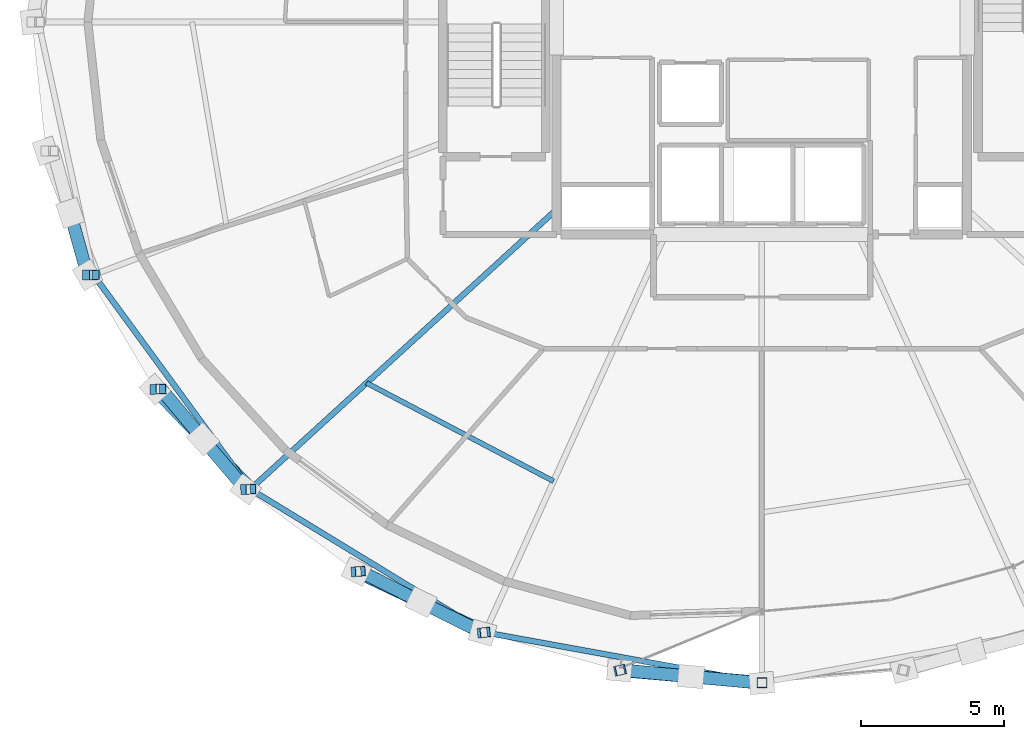
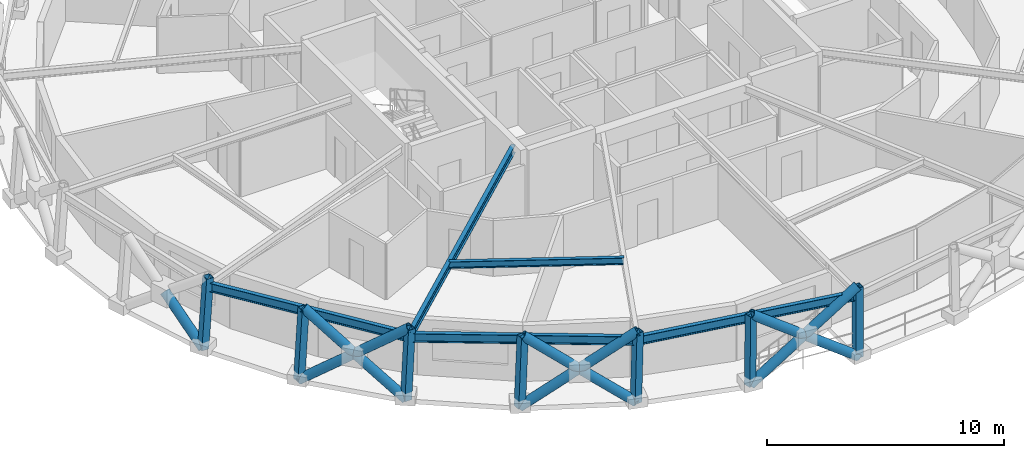
# One storey, part 1 of 17: 17 members, 5 beams.
"""IFC4 building model written with IfcOpenShell, lengths in metres."""

from ifc_helpers import new_model, si_unit, direction, frame, origin, origin_2d, place, context, subcontext, project, spatial, hollow_rectangle, hollow_circle, i_section, extrude, material, material_profile, profile_set, type_object, element, save


model = new_model("IFC4")

# Units and contexts
model_context = context("Model", 3, precision=1e-05, world=origin(), true_north=direction((0.0, 1.0)))
body_context = subcontext(model_context, "Body", "Model", "MODEL_VIEW")
ifc_project = project(units=[si_unit("LENGTHUNIT", "METRE"), si_unit("AREAUNIT", "SQUARE_METRE"), si_unit("VOLUMEUNIT", "CUBIC_METRE"), si_unit("PLANEANGLEUNIT", "RADIAN"), si_unit("MASSUNIT", "GRAM", prefix="KILO")], contexts=[model_context])

# Site, building, storey
site_placement = place(None, origin())
site = spatial("IfcSite", under=ifc_project, at=site_placement, CompositionType="ELEMENT")
building_placement = place(site_placement, origin())
building = spatial("IfcBuilding", under=site, at=building_placement, Name="Veldorina Hangang Commons", CompositionType="ELEMENT")
storey_placement = place(building_placement, frame((0.0, 0.0, 214.800048828125)))
storey = spatial("IfcBuildingStorey", under=building, at=storey_placement, Name="L55", CompositionType="ELEMENT", Elevation=214.800048828125)

# Beams
ifc_material = material(Name="Steel SM355-TMC", Category="steel")
ifc_material_profile_1 = material_profile(ifc_material, i_section(OverallWidth=0.199951171875, OverallDepth=0.39990234375, WebThickness=0.008056640625, FlangeThickness=0.012939453125, FilletRadius=0.012939453125, at=origin_2d()), Name="H-400x200x8x13")
ifc_profile_set_1 = profile_set([ifc_material_profile_1], Name="Steel SM355-TMC")
beam_type_1 = type_object("IfcBeamType", Name="BM-FG400", PredefinedType="BEAM", material=ifc_profile_set_1)
beam_1_placement = place(storey_placement, frame((24.800048828125, 17.4228515625, 3.159912109375), z_axis=(-0.738333144495, -0.674436185076, 0.0), x_axis=(0.674436185076, -0.738333144495, 0.0)))
element("IfcBeam", 1, at=beam_1_placement, inside=storey, type_object=beam_type_1, Name="L55 radial floor girder 11", PredefinedType="BEAM", context=body_context, shape_type="SweptSolid", body=[
    extrude(i_section(OverallWidth=0.199951171875, OverallDepth=0.39990234375, WebThickness=0.008056640625, FlangeThickness=0.012939453125, FilletRadius=0.012939453125, at=origin_2d()), origin(), (0.0, 0.0, 1.0), 14.538330078125),
])
ifc_material_profile_2 = material_profile(ifc_material, i_section(OverallWidth=0.175048828125, OverallDepth=0.35009765625, WebThickness=0.007080078125, FlangeThickness=0.010986328125, FilletRadius=0.012939453125, at=origin_2d()), Name="H-350x175x7x11")
ifc_profile_set_2 = profile_set([ifc_material_profile_2], Name="Steel SM355-TMC")
beam_type_2 = type_object("IfcBeamType", Name="BM-JST350", PredefinedType="JOIST", material=ifc_profile_set_2)
beam_2_placement = place(storey_placement, frame((18.14501953125, 11.343505859375, 3.18505859375), z_axis=(0.885141282179, -0.46532237275, 0.0), x_axis=(0.46532237275, 0.885141282179, 0.0)))
element("IfcBeam", 2, at=beam_2_placement, inside=storey, type_object=beam_type_2, Name="L55 secondary floor joist 11", PredefinedType="JOIST", context=body_context, shape_type="SweptSolid", body=[
    extrude(i_section(OverallWidth=0.175048828125, OverallDepth=0.35009765625, WebThickness=0.007080078125, FlangeThickness=0.010986328125, FilletRadius=0.012939453125, at=origin_2d()), origin(), (0.0, 0.0, 1.0), 7.404052734375),
])
ifc_material_profile_3 = material_profile(ifc_material, i_section(OverallWidth=0.199951171875, OverallDepth=0.449951171875, WebThickness=0.009033203125, FlangeThickness=0.013916015625, FilletRadius=0.01611328125, at=origin_2d()), Name="H-450x200x9x14")
ifc_profile_set_3 = profile_set([ifc_material_profile_3], Name="Steel SM355-TMC")
beam_type_3 = type_object("IfcBeamType", Name="BM-RB450", PredefinedType="BEAM", material=ifc_profile_set_3)
beam_3_placement = place(storey_placement, frame((8.568115234375, 15.1337890625, 3.135009765625), z_axis=(0.590384630347, -0.807122040493, 0.0), x_axis=(0.807122040493, 0.590384630347, 0.0)))
element("IfcBeam", 3, at=beam_3_placement, inside=storey, type_object=beam_type_3, Name="L55 perimeter hoop ring beam 18", PredefinedType="BEAM", context=body_context, shape_type="SweptSolid", body=[
    extrude(i_section(OverallWidth=0.199951171875, OverallDepth=0.449951171875, WebThickness=0.009033203125, FlangeThickness=0.013916015625, FilletRadius=0.01611328125, at=origin_2d()), origin(), (0.0, 0.0, 1.0), 9.312255859375),
])
beam_4_placement = place(storey_placement, frame((14.06591796875, 7.61767578125, 3.135009765625), z_axis=(0.853566554162, -0.520983817039, 0.0), x_axis=(0.520983817039, 0.853566554162, 0.0)))
element("IfcBeam", 4, at=beam_4_placement, inside=storey, type_object=beam_type_3, Name="L55 perimeter hoop ring beam 20", PredefinedType="BEAM", context=body_context, shape_type="SweptSolid", body=[
    extrude(i_section(OverallWidth=0.199951171875, OverallDepth=0.449951171875, WebThickness=0.009033203125, FlangeThickness=0.013916015625, FilletRadius=0.01611328125, at=origin_2d()), origin(), (0.0, 0.0, 1.0), 9.639892578125),
])
beam_5_placement = place(storey_placement, frame((22.294189453125, 2.595458984375, 3.135009765625), z_axis=(0.983888120108, -0.178785254173, 0.0), x_axis=(0.178785254173, 0.983888120108, 0.0)))
element("IfcBeam", 5, at=beam_5_placement, inside=storey, type_object=beam_type_3, Name="L55 perimeter hoop ring beam 22", PredefinedType="BEAM", context=body_context, shape_type="SweptSolid", body=[
    extrude(i_section(OverallWidth=0.199951171875, OverallDepth=0.449951171875, WebThickness=0.009033203125, FlangeThickness=0.013916015625, FilletRadius=0.01611328125, at=origin_2d()), origin(), (0.0, 0.0, 1.0), 9.86474609375),
])

# Members
ifc_material_profile_4 = material_profile(ifc_material, hollow_circle(Radius=0.22509765625, WallThickness=0.02197265625, at=origin_2d()), Name="CHS-450x22")
ifc_profile_set_4 = profile_set([ifc_material_profile_4], Name="Steel SM355-TMC")
member_type_1 = type_object("IfcMemberType", Name="DG-CHS450", PredefinedType="BRACE", material=ifc_profile_set_4)
member_1_placement = place(storey_placement, frame((8.35791015625, 15.1298828125, 0.0), z_axis=(-0.210048910965, 0.752964063933, 0.623638175089), x_axis=(-0.963222990017, -0.268703315019, 0.0)))
element("IfcMember", 6, at=member_1_placement, inside=storey, type_object=member_type_1, Name="L55 split perimeter diagrid lower brace 18", PredefinedType="BRACE", context=body_context, shape_type="SweptSolid", body=[
    extrude(hollow_circle(Radius=0.22509765625, WallThickness=0.02197265625, at=origin_2d()), origin(), (0.0, 0.0, 1.0), 2.888427734375),
])
member_2_placement = place(storey_placement, frame((10.72265625, 11.12255859375, 0.0), z_axis=(0.556774773989, -0.579381638362, 0.595246812824), x_axis=(0.721033837221, 0.692899852491, 0.0)))
element("IfcMember", 7, at=member_2_placement, inside=storey, type_object=member_type_1, Name="L55 continuous perimeter diagrid brace 19", PredefinedType="BRACE", context=body_context, shape_type="SweptSolid", body=[
    extrude(hollow_circle(Radius=0.22509765625, WallThickness=0.02197265625, at=origin_2d()), origin(), (0.0, 0.0, 1.0), 6.047607421875),
])
member_3_placement = place(storey_placement, frame((13.905029296875, 7.610107421875, 0.0), z_axis=(-0.510441432549, 0.599739500869, 0.61624838745), x_axis=(-0.761523824427, -0.648136918274, 0.0)))
element("IfcMember", 8, at=member_3_placement, inside=storey, type_object=member_type_1, Name="L55 split perimeter diagrid lower brace 20", PredefinedType="BRACE", context=body_context, shape_type="SweptSolid", body=[
    extrude(hollow_circle(Radius=0.22509765625, WallThickness=0.02197265625, at=origin_2d()), origin(), (0.0, 0.0, 1.0), 2.92822265625),
])
member_4_placement = place(storey_placement, frame((12.410400390625, 9.3662109375, 1.804443359375), z_axis=(-0.504524636347, 0.60496047214, 0.616017628374), x_axis=(-0.767977168034, -0.640477220031, 0.0)))
element("IfcMember", 9, at=member_4_placement, inside=storey, type_object=member_type_1, Name="L55 split perimeter diagrid upper brace 20", PredefinedType="BRACE", context=body_context, shape_type="SweptSolid", body=[
    extrude(hollow_circle(Radius=0.22509765625, WallThickness=0.02197265625, at=origin_2d()), origin(), (0.0, 0.0, 1.0), 2.91455078125),
])
member_5_placement = place(storey_placement, frame((17.782958984375, 4.7275390625, 0.0), z_axis=(0.734230156767, -0.345818402043, 0.584222311884), x_axis=(0.426097952071, 0.904677033665, 0.0)))
element("IfcMember", 10, at=member_5_placement, inside=storey, type_object=member_type_1, Name="L55 continuous perimeter diagrid brace 21", PredefinedType="BRACE", context=body_context, shape_type="SweptSolid", body=[
    extrude(hollow_circle(Radius=0.22509765625, WallThickness=0.02197265625, at=origin_2d()), origin(), (0.0, 0.0, 1.0), 6.161865234375),
])
member_6_placement = place(storey_placement, frame((22.20703125, 2.585693359375, 0.0), z_axis=(-0.715565695225, 0.356362591327, 0.600808987382), x_axis=(-0.445791695439, -0.895136729376, 0.0)))
element("IfcMember", 11, at=member_6_placement, inside=storey, type_object=member_type_1, Name="L55 split perimeter diagrid lower brace 22", PredefinedType="BRACE", context=body_context, shape_type="SweptSolid", body=[
    extrude(hollow_circle(Radius=0.22509765625, WallThickness=0.02197265625, at=origin_2d()), origin(), (0.0, 0.0, 1.0), 3.00830078125),
])
member_7_placement = place(storey_placement, frame((20.054443359375, 3.65771484375, 1.807373046875), z_axis=(-0.712757382648, 0.361943272498, 0.600811102572), x_axis=(-0.452773747594, -0.891625444618, 0.0)))
element("IfcMember", 12, at=member_7_placement, inside=storey, type_object=member_type_1, Name="L55 split perimeter diagrid upper brace 22", PredefinedType="BRACE", context=body_context, shape_type="SweptSolid", body=[
    extrude(hollow_circle(Radius=0.22509765625, WallThickness=0.02197265625, at=origin_2d()), origin(), (0.0, 0.0, 1.0), 2.9833984375),
])
member_8_placement = place(storey_placement, frame((27.007568359375, 1.2666015625, 0.0), z_axis=(0.809122637883, -0.070232905386, 0.583427712631), x_axis=(0.086476146057, 0.99625392153, 0.0)))
element("IfcMember", 13, at=member_8_placement, inside=storey, type_object=member_type_1, Name="L55 continuous perimeter diagrid brace 23", PredefinedType="BRACE", context=body_context, shape_type="SweptSolid", body=[
    extrude(hollow_circle(Radius=0.22509765625, WallThickness=0.02197265625, at=origin_2d()), origin(), (0.0, 0.0, 1.0), 6.170166015625),
])
member_9_placement = place(storey_placement, frame((32.0, 0.8212890625, 0.0), z_axis=(-0.806067971863, 0.073855225106, 0.587196585873), x_axis=(-0.091241880098, -0.995828760037, 0.0)))
element("IfcMember", 14, at=member_9_placement, inside=storey, type_object=member_type_1, Name="L55 split perimeter diagrid lower brace 24", PredefinedType="BRACE", context=body_context, shape_type="SweptSolid", body=[
    extrude(hollow_circle(Radius=0.22509765625, WallThickness=0.02197265625, at=origin_2d()), origin(), (0.0, 0.0, 1.0), 3.080810546875),
])
member_10_placement = place(storey_placement, frame((29.5166015625, 1.048828125, 1.80908203125), z_axis=(-0.805954817512, 0.075248065997, 0.587175068181), x_axis=(-0.0929608245, -0.995669767096, 0.0)))
element("IfcMember", 15, at=member_10_placement, inside=storey, type_object=member_type_1, Name="L55 split perimeter diagrid upper brace 24", PredefinedType="BRACE", context=body_context, shape_type="SweptSolid", body=[
    extrude(hollow_circle(Radius=0.22509765625, WallThickness=0.02197265625, at=origin_2d()), origin(), (0.0, 0.0, 1.0), 3.0498046875),
])
ifc_material_profile_5 = material_profile(ifc_material, hollow_rectangle(XDim=0.35009765625, YDim=0.35009765625, WallThickness=0.01611328125, at=origin_2d()), Name="SHS-350x350x16")
ifc_profile_set_5 = profile_set([ifc_material_profile_5], Name="Steel SM355-TMC")
member_type_2 = type_object("IfcMemberType", Name="STR-SHS350", PredefinedType="STRUT", material=ifc_profile_set_5)
member_11_placement = place(storey_placement, frame((8.35791015625, 15.1298828125, 0.0), z_axis=(0.066923158613, 0.001285682521, 0.997757304088), x_axis=(-0.019207780342, 0.99981551357, 0.0)))
element("IfcMember", 16, at=member_11_placement, inside=storey, type_object=member_type_2, Name="L55 perimeter ring node post 18", PredefinedType="STRUT", context=body_context, shape_type="SweptSolid", body=[
    extrude(hollow_rectangle(XDim=0.35009765625, YDim=0.35009765625, WallThickness=0.01611328125, at=origin_2d()), origin(), (0.0, 0.0, 1.0), 3.60791015625),
])
member_12_placement = place(storey_placement, frame((10.72265625, 11.12255859375, 0.0), z_axis=(0.060249682526, 0.00189549563, 0.998181538024), x_axis=(-0.031445116227, 0.999505480058, 0.0)))
element("IfcMember", 17, at=member_12_placement, inside=storey, type_object=member_type_2, Name="L55 perimeter ring node post 19", PredefinedType="STRUT", context=body_context, shape_type="SweptSolid", body=[
    extrude(hollow_rectangle(XDim=0.35009765625, YDim=0.35009765625, WallThickness=0.01611328125, at=origin_2d()), origin(), (0.0, 0.0, 1.0), 3.6064453125),
])
member_13_placement = place(storey_placement, frame((13.905029296875, 7.610107421875, 0.0), z_axis=(0.051271767842, 0.002370557298, 0.998681924479), x_axis=(-0.046185799643, 0.998932866569, 0.0)))
element("IfcMember", 18, at=member_13_placement, inside=storey, type_object=member_type_2, Name="L55 perimeter ring node post 20", PredefinedType="STRUT", context=body_context, shape_type="SweptSolid", body=[
    extrude(hollow_rectangle(XDim=0.35009765625, YDim=0.35009765625, WallThickness=0.01611328125, at=origin_2d()), origin(), (0.0, 0.0, 1.0), 3.6044921875),
])
member_14_placement = place(storey_placement, frame((17.782958984375, 4.7275390625, 0.0), z_axis=(0.040252038194, 0.002778339337, 0.99918569558), x_axis=(-0.068859731339, 0.997626351597, 0.0)))
element("IfcMember", 19, at=member_14_placement, inside=storey, type_object=member_type_2, Name="L55 perimeter ring node post 21", PredefinedType="STRUT", context=body_context, shape_type="SweptSolid", body=[
    extrude(hollow_rectangle(XDim=0.35009765625, YDim=0.35009765625, WallThickness=0.01611328125, at=origin_2d()), origin(), (0.0, 0.0, 1.0), 3.602783203125),
])
member_15_placement = place(storey_placement, frame((22.20703125, 2.585693359375, 0.0), z_axis=(0.027795163358, 0.003050688661, 0.99960898465), x_axis=(-0.109100928002, 0.994030677348, 0.0)))
element("IfcMember", 20, at=member_15_placement, inside=storey, type_object=member_type_2, Name="L55 perimeter ring node post 22", PredefinedType="STRUT", context=body_context, shape_type="SweptSolid", body=[
    extrude(hollow_rectangle(XDim=0.35009765625, YDim=0.35009765625, WallThickness=0.01611328125, at=origin_2d()), origin(), (0.0, 0.0, 1.0), 3.601318359375),
])
member_16_placement = place(storey_placement, frame((27.007568359375, 1.2666015625, 0.0), z_axis=(0.014172797621, 0.003254996583, 0.999894262812), x_axis=(-0.223837652223, 0.974626444053, 0.0)))
element("IfcMember", 21, at=member_16_placement, inside=storey, type_object=member_type_2, Name="L55 perimeter ring node post 23", PredefinedType="STRUT", context=body_context, shape_type="SweptSolid", body=[
    extrude(hollow_rectangle(XDim=0.35009765625, YDim=0.35009765625, WallThickness=0.01611328125, at=origin_2d()), origin(), (0.0, 0.0, 1.0), 3.600341796875),
])
member_17_placement = place(storey_placement, frame((32.0, 0.8212890625, 0.0), z_axis=(0.0, 0.003323142044, 0.999994478348), x_axis=(-1.0, 0.0, 0.0)))
element("IfcMember", 22, at=member_17_placement, inside=storey, type_object=member_type_2, Name="L55 perimeter ring node post 24", PredefinedType="STRUT", context=body_context, shape_type="SweptSolid", body=[
    extrude(hollow_rectangle(XDim=0.35009765625, YDim=0.35009765625, WallThickness=0.01611328125, at=origin_2d()), origin(), (0.0, 0.0, 1.0), 3.599853515625),
])

save(model, "model.ifc")
